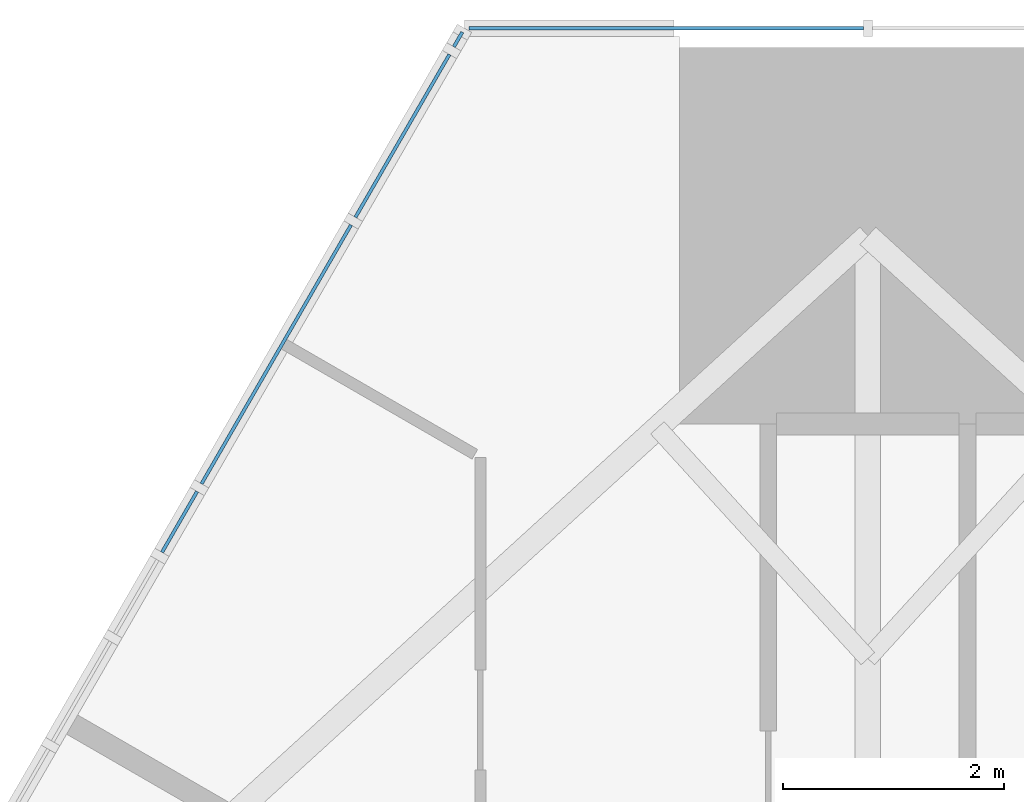
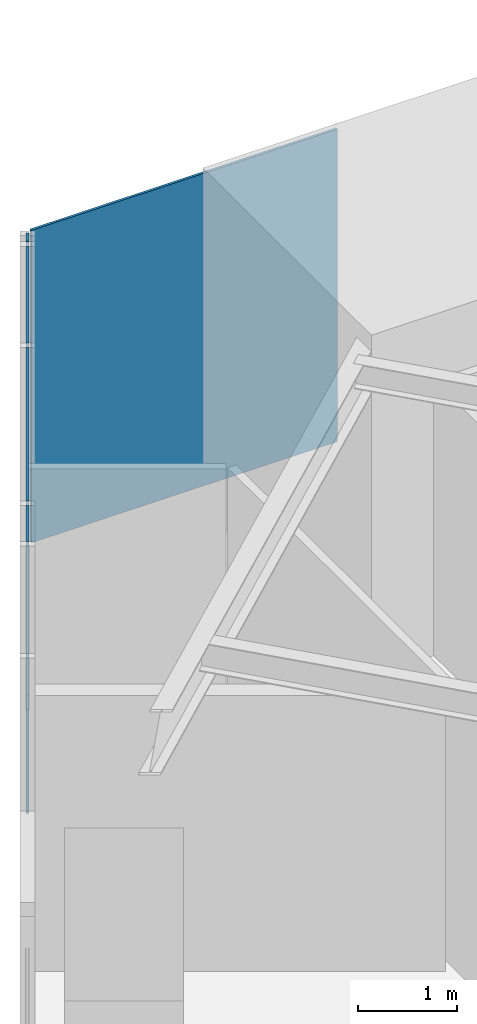
# One storey, part 17 of 29: 5 plates, 2 elements without a shape of their own.
"""IFC4 building model written with IfcOpenShell, lengths in metres."""

from ifc_helpers import new_model, si_unit, direction, frame, origin, place, context, subcontext, project, spatial, polyline, outline, extrude, material, layer, layer_set, type_object, element, aggregate, save


model = new_model("IFC4")

# Units and contexts
model_context = context("Model", 3, precision=1e-05, world=origin(), true_north=direction((0.0, 1.0)))
body_context = subcontext(model_context, "Body", "Model", "MODEL_VIEW")
ifc_project = project(units=[si_unit("LENGTHUNIT", "METRE"), si_unit("AREAUNIT", "SQUARE_METRE"), si_unit("VOLUMEUNIT", "CUBIC_METRE"), si_unit("PLANEANGLEUNIT", "RADIAN"), si_unit("MASSUNIT", "GRAM", prefix="KILO")], contexts=[model_context])

# Site, building, storey
site_placement = place(None, origin())
site = spatial("IfcSite", under=ifc_project, at=site_placement, CompositionType="ELEMENT")
building_placement = place(site_placement, origin())
building = spatial("IfcBuilding", under=site, at=building_placement, Name="Firuza Gate Tower and Library", CompositionType="ELEMENT")
storey_placement = place(building_placement, frame((0.0, 0.0, 48.39990234375)))
storey = spatial("IfcBuildingStorey", under=building, at=storey_placement, Name="L10", CompositionType="ELEMENT", Elevation=48.39990234375)

# Curtain wall, plate
ifc_material_1 = material(Name="Aluminium 6063-T6", Category="aluminium")
ifc_layer_1 = layer(ifc_material_1, 0.14990234375)
ifc_layer_set_1 = layer_set([ifc_layer_1], Name="Corner curtain wall, chamfers")
curtain_wall_type_1 = type_object("IfcCurtainWallType", Name="Corner curtain wall, chamfers", PredefinedType="NOTDEFINED", material=ifc_layer_set_1)
placement = place(storey_placement, origin())
curtain_wall_1 = element("IfcCurtainWall", 1, at=placement, inside=storey, type_object=curtain_wall_type_1, Name="CW4 L10 N corner", PredefinedType="NOTDEFINED")
ifc_material_2 = material(Name="Fritted glass", Category="glass")
ifc_layer_2 = layer(ifc_material_2, 0.030029296875)
ifc_layer_set_2 = layer_set([ifc_layer_2], Name="Fritted glass unit, corners")
plate_type_1 = type_object("IfcPlateType", Name="Fritted glass unit, corners", PredefinedType="CURTAIN_PANEL", material=ifc_layer_set_2)
plate_1_placement = place(storey_placement, frame((74.9599609375, 110.310302734375, 0.150146484375), z_axis=(0.0, 1.0, 0.0), x_axis=(-1.0, 0.0, 0.0)))
plate_1 = element("IfcPlate", 2, at=plate_1_placement, type_object=plate_type_1, Name="Glass unit", PredefinedType="CURTAIN_PANEL", context=body_context, shape_type="SweptSolid", body=[
    extrude(outline(polyline([(0.0, 0.0), (3.563232421875, 0.0), (3.563232421875, 3.849853515625), (0.0, 3.849853515625), (0.0, 0.0)])), origin(), (0.0, 0.0, -1.0), 0.030029296875),
])
aggregate(curtain_wall_1, [plate_1])

# Curtain wall, plates
ifc_material_3 = material(Name="Aluminium 6063-T6", Category="aluminium")
ifc_layer_3 = layer(ifc_material_3, 0.14990234375)
ifc_layer_set_3 = layer_set([ifc_layer_3], Name="Unitised curtain wall, offices")
curtain_wall_type_2 = type_object("IfcCurtainWallType", Name="Unitised curtain wall, offices", PredefinedType="NOTDEFINED", material=ifc_layer_set_3)
curtain_wall_2 = element("IfcCurtainWall", 3, at=placement, inside=storey, type_object=curtain_wall_type_2, Name="CW1 L10 W face", PredefinedType="NOTDEFINED")
ifc_material_4 = material(Name="Fritted glass", Category="glass")
ifc_layer_4 = layer(ifc_material_4, 0.030029296875)
ifc_layer_set_4 = layer_set([ifc_layer_4], Name="Fritted glass unit, offices")
plate_type_2 = type_object("IfcPlateType", Name="Fritted glass unit, offices", PredefinedType="CURTAIN_PANEL", material=ifc_layer_set_4)
plate_2_placement = place(storey_placement, frame((71.207275390625, 110.06640625, 0.150146484375), z_axis=(-0.866022790583, 0.50000452617, 0.0), x_axis=(-0.50000452617, -0.866022790583, 0.0)))
plate_2 = element("IfcPlate", 4, at=plate_2_placement, type_object=plate_type_2, Name="Glass unit", PredefinedType="CURTAIN_PANEL", context=body_context, shape_type="SweptSolid", body=[
    extrude(outline(polyline([(0.0, 0.0), (1.6982268145733541, 0.0), (1.6982268145733541, 3.849853515625), (0.0, 3.849853515625), (0.0, 0.0)])), origin(), (0.0, 0.0, -1.0), 0.030029296875),
])
plate_3_placement = place(storey_placement, frame((68.92822265625, 106.119140625, 2.114990234375), z_axis=(-0.866127928132, 0.499822380561, 0.0), x_axis=(-0.499822380561, -0.866127928132, 0.0)))
plate_3 = element("IfcPlate", 5, at=plate_3_placement, type_object=plate_type_2, Name="Glass unit", PredefinedType="CURTAIN_PANEL", context=body_context, shape_type="SweptSolid", body=[
    extrude(outline(polyline([(0.0, 0.0), (0.634502743792482, 0.0), (0.634502743792482, 1.885009765625), (0.0, 1.885009765625), (0.0, 0.0)])), origin(), (0.0, 0.0, -1.0), 0.030029296875),
])
ifc_material_5 = material(Name="Glazed ceramic tile")
ifc_layer_5 = layer(ifc_material_5, 0.030029296875)
ifc_layer_set_5 = layer_set([ifc_layer_5], Name="Opaque ceramic panel, offices")
plate_type_3 = type_object("IfcPlateType", Name="Opaque ceramic panel, offices", PredefinedType="CURTAIN_PANEL", material=ifc_layer_set_5)
plate_4_placement = place(storey_placement, frame((71.32373046875, 110.26806640625, 0.150146484375), z_axis=(-0.865972712538, 0.500091252813, 0.0), x_axis=(-0.500091252813, -0.865972712538, 0.0)))
plate_4 = element("IfcPlate", 6, at=plate_4_placement, type_object=plate_type_3, Name="Opaque ceramic panel", PredefinedType="CURTAIN_PANEL", context=body_context, shape_type="SweptSolid", body=[
    extrude(outline(polyline([(0.0, 0.0), (0.1528041436342552, 0.0), (0.1528041436342552, 3.849853515625), (0.0, 3.849853515625), (0.0, 0.0)])), origin(), (0.0, 0.0, -1.0), 0.030029296875),
])
plate_5_placement = place(storey_placement, frame((70.318115234375, 108.5263671875, 0.150146484375), z_axis=(-0.866013897511, 0.50001992892, 0.0), x_axis=(-0.50001992892, -0.866013897511, 0.0)))
plate_5 = element("IfcPlate", 7, at=plate_5_placement, type_object=plate_type_3, Name="Opaque ceramic panel", PredefinedType="CURTAIN_PANEL", context=body_context, shape_type="SweptSolid", body=[
    extrude(outline(polyline([(0.0, 0.0), (2.699599431046774, 0.0), (2.699599431046774, 3.849853515625), (0.0, 3.849853515625), (0.0, 0.0)])), origin(), (0.0, 0.0, -1.0), 0.030029296875),
])
aggregate(curtain_wall_2, [plate_4, plate_2, plate_5, plate_3])

save(model, "model.ifc")
